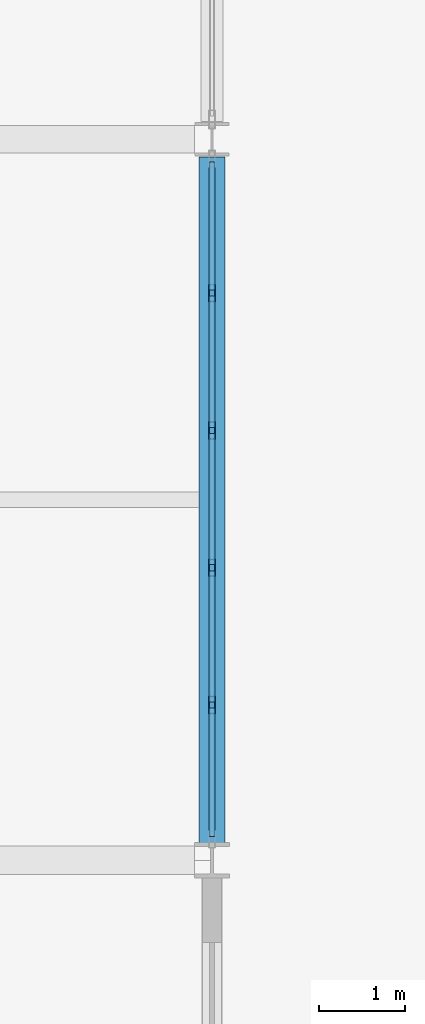
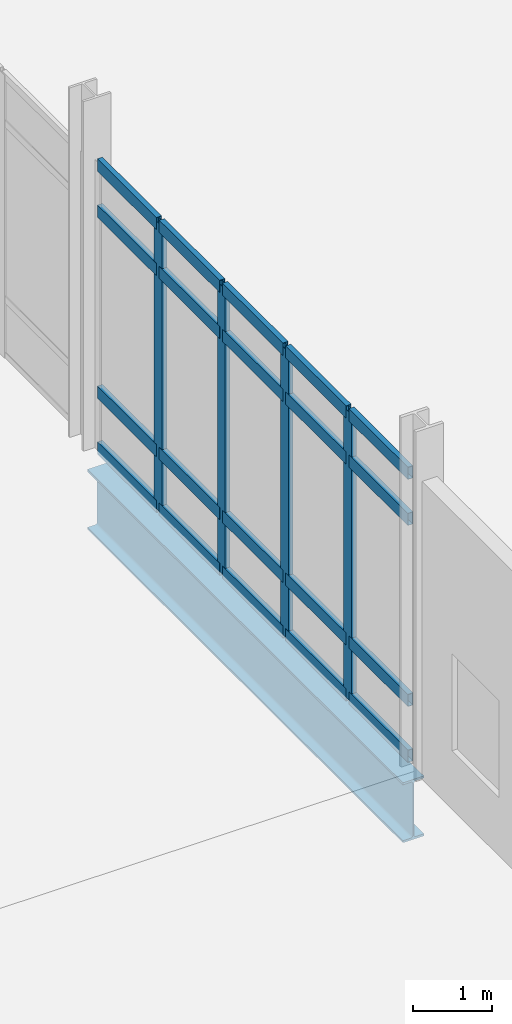
# One storey, part 44 of 229: 24 members, 1 beam, 1 element without a shape of its own.
"""IFC4 building model written with IfcOpenShell, lengths in metres."""

from ifc_helpers import new_model, si_unit, direction, frame, origin, origin_2d, place, context, subcontext, project, spatial, hollow_rectangle, i_section, extrude, material, layer, layer_set, material_profile, profile_set, type_object, element, aggregate, save


model = new_model("IFC4")

# Units and contexts
model_context = context("Model", 3, precision=1e-05, world=origin(), true_north=direction((0.0, 1.0)))
body_context = subcontext(model_context, "Body", "Model", "MODEL_VIEW")
ifc_project = project(units=[si_unit("LENGTHUNIT", "METRE"), si_unit("AREAUNIT", "SQUARE_METRE"), si_unit("VOLUMEUNIT", "CUBIC_METRE"), si_unit("PLANEANGLEUNIT", "RADIAN"), si_unit("MASSUNIT", "GRAM", prefix="KILO")], contexts=[model_context])

# Site, building, storey
site_placement = place(None, origin())
site = spatial("IfcSite", under=ifc_project, at=site_placement, CompositionType="ELEMENT")
building_placement = place(site_placement, origin())
building = spatial("IfcBuilding", under=site, at=building_placement, Name="Calvrana Isthmian Art Gallery", CompositionType="ELEMENT")
storey_placement = place(building_placement, origin())
storey = spatial("IfcBuildingStorey", under=building, at=storey_placement, Name="L00", CompositionType="ELEMENT", Elevation=0.0)

# Beam
ifc_material_1 = material(Name="Steel ASTM A992 Gr 50", Category="steel")
ifc_material_profile_1 = material_profile(ifc_material_1, i_section(OverallWidth=0.306884765625, OverallDepth=0.927001953125, WebThickness=0.019287109375, FlangeThickness=0.031982421875, FilletRadius=0.028076171875, at=origin_2d()), Name="W36X194")
ifc_profile_set_1 = profile_set([ifc_material_profile_1], Name="Steel ASTM A992 Gr 50")
beam_type = type_object("IfcBeamType", Name="BM-G-W36X194", PredefinedType="BEAM", material=ifc_profile_set_1)
beam_placement = place(storey_placement, frame((80.39990234375, 21.802978515625, -0.74853515625), z_axis=(0.0, 1.0, 0.0), x_axis=(-1.0, 0.0, 0.0)))
element("IfcBeam", 1, at=beam_placement, inside=storey, type_object=beam_type, Name="Girder Y L00 11/D-E", PredefinedType="BEAM", context=body_context, shape_type="SweptSolid", body=[
    extrude(i_section(OverallWidth=0.306884765625, OverallDepth=0.927001953125, WebThickness=0.019287109375, FlangeThickness=0.031982421875, FilletRadius=0.028076171875, at=origin_2d()), origin(), (0.0, 0.0, 1.0), 7.988525390625),
])

# Curtain wall, members
ifc_material_2 = material(Name="Anodized bronze aluminium 6063-T6", Category="aluminium")
ifc_layer = layer(ifc_material_2, 0.179931640625, Name="Anodized bronze aluminium 6063-T6")
ifc_layer_set = layer_set([ifc_layer], Name="Anodized bronze aluminium 6063-T6")
curtain_wall_type = type_object("IfcCurtainWallType", Name="CW-UNIT-080X44", PredefinedType="USERDEFINED", material=ifc_layer_set)
curtain_wall_placement = place(storey_placement, origin())
curtain_wall = element("IfcCurtainWall", 2, at=curtain_wall_placement, inside=storey, type_object=curtain_wall_type, Name="Curtain wall CW-069", ObjectType="UNITISED CURTAIN WALL", PredefinedType="USERDEFINED")
ifc_material_profile_2 = material_profile(ifc_material_2, hollow_rectangle(XDim=0.070068359375, YDim=0.199951171875, WallThickness=0.0048828125, at=origin_2d()), Name="CWM70X200")
ifc_profile_set_2 = profile_set([ifc_material_profile_2], Name="Anodized bronze aluminium 6063-T6")
member_type_1 = type_object("IfcMemberType", Name="CWM-CWM70X200", PredefinedType="MULLION", material=ifc_profile_set_2)
member_1_placement = place(storey_placement, frame((80.39990234375, 28.207275390625, 0.0), z_axis=(0.0, 0.0, 1.0), x_axis=(1.0, 0.0, 0.0)))
member_1 = element("IfcMember", 3, at=member_1_placement, type_object=member_type_1, Name="CW-069 mullion 2", PredefinedType="MULLION", context=body_context, shape_type="SweptSolid", body=[
    extrude(hollow_rectangle(XDim=0.070068359375, YDim=0.199951171875, WallThickness=0.0048828125, at=origin_2d()), origin(), (0.0, 0.0, 1.0), 4.447021484375),
])
member_2_placement = place(storey_placement, frame((80.39990234375, 26.607666015625, 0.0), z_axis=(0.0, 0.0, 1.0), x_axis=(1.0, 0.0, 0.0)))
member_2 = element("IfcMember", 4, at=member_2_placement, type_object=member_type_1, Name="CW-069 mullion 3", PredefinedType="MULLION", context=body_context, shape_type="SweptSolid", body=[
    extrude(hollow_rectangle(XDim=0.070068359375, YDim=0.199951171875, WallThickness=0.0048828125, at=origin_2d()), origin(), (0.0, 0.0, 1.0), 4.447021484375),
])
member_3_placement = place(storey_placement, frame((80.39990234375, 25.0078125, 0.0), z_axis=(0.0, 0.0, 1.0), x_axis=(1.0, 0.0, 0.0)))
member_3 = element("IfcMember", 5, at=member_3_placement, type_object=member_type_1, Name="CW-069 mullion 4", PredefinedType="MULLION", context=body_context, shape_type="SweptSolid", body=[
    extrude(hollow_rectangle(XDim=0.070068359375, YDim=0.199951171875, WallThickness=0.0048828125, at=origin_2d()), origin(), (0.0, 0.0, 1.0), 4.447021484375),
])
member_4_placement = place(storey_placement, frame((80.39990234375, 23.408203125, 0.0), z_axis=(0.0, 0.0, 1.0), x_axis=(1.0, 0.0, 0.0)))
member_4 = element("IfcMember", 6, at=member_4_placement, type_object=member_type_1, Name="CW-069 mullion 5", PredefinedType="MULLION", context=body_context, shape_type="SweptSolid", body=[
    extrude(hollow_rectangle(XDim=0.070068359375, YDim=0.199951171875, WallThickness=0.0048828125, at=origin_2d()), origin(), (0.0, 0.0, 1.0), 4.447021484375),
])
ifc_material_profile_3 = material_profile(ifc_material_2, hollow_rectangle(XDim=0.074951171875, YDim=0.18994140625, WallThickness=0.00439453125, at=origin_2d()), Name="CWT75X190")
ifc_profile_set_3 = profile_set([ifc_material_profile_3], Name="Anodized bronze aluminium 6063-T6")
member_type_2 = type_object("IfcMemberType", Name="CWT-CWT75X190", PredefinedType="USERDEFINED", material=ifc_profile_set_3)
member_5_placement = place(storey_placement, frame((80.39990234375, 29.737060546875, 0.03759765625), z_axis=(0.0, -1.0, 0.0), x_axis=(1.0, 0.0, 0.0)))
member_5 = element("IfcMember", 7, at=member_5_placement, type_object=member_type_2, Name="CW-069 transom 1.1", ObjectType="TRANSOM", PredefinedType="USERDEFINED", context=body_context, shape_type="SweptSolid", body=[
    extrude(hollow_rectangle(XDim=0.074951171875, YDim=0.18994140625, WallThickness=0.00439453125, at=origin_2d()), origin(), (0.0, 0.0, 1.0), 1.494873046875),
])
member_6_placement = place(storey_placement, frame((80.39990234375, 29.737060546875, 0.89990234375), z_axis=(0.0, -1.0, 0.0), x_axis=(1.0, 0.0, 0.0)))
member_6 = element("IfcMember", 8, at=member_6_placement, type_object=member_type_2, Name="CW-069 transom 1.2", ObjectType="TRANSOM", PredefinedType="USERDEFINED", context=body_context, shape_type="SweptSolid", body=[
    extrude(hollow_rectangle(XDim=0.074951171875, YDim=0.18994140625, WallThickness=0.00439453125, at=origin_2d()), origin(), (0.0, 0.0, 1.0), 1.494873046875),
])
member_7_placement = place(storey_placement, frame((80.39990234375, 29.737060546875, 3.697021484375), z_axis=(0.0, -1.0, 0.0), x_axis=(1.0, 0.0, 0.0)))
member_7 = element("IfcMember", 9, at=member_7_placement, type_object=member_type_2, Name="CW-069 transom 1.3", ObjectType="TRANSOM", PredefinedType="USERDEFINED", context=body_context, shape_type="SweptSolid", body=[
    extrude(hollow_rectangle(XDim=0.074951171875, YDim=0.18994140625, WallThickness=0.00439453125, at=origin_2d()), origin(), (0.0, 0.0, 1.0), 1.494873046875),
])
member_8_placement = place(storey_placement, frame((80.39990234375, 29.737060546875, 4.409423828125), z_axis=(0.0, -1.0, 0.0), x_axis=(1.0, 0.0, 0.0)))
member_8 = element("IfcMember", 10, at=member_8_placement, type_object=member_type_2, Name="CW-069 transom 1.4", ObjectType="TRANSOM", PredefinedType="USERDEFINED", context=body_context, shape_type="SweptSolid", body=[
    extrude(hollow_rectangle(XDim=0.074951171875, YDim=0.18994140625, WallThickness=0.00439453125, at=origin_2d()), origin(), (0.0, 0.0, 1.0), 1.494873046875),
])
member_9_placement = place(storey_placement, frame((80.39990234375, 28.17236328125, 0.03759765625), z_axis=(0.0, -1.0, 0.0), x_axis=(1.0, 0.0, 0.0)))
member_9 = element("IfcMember", 11, at=member_9_placement, type_object=member_type_2, Name="CW-069 transom 2.1", ObjectType="TRANSOM", PredefinedType="USERDEFINED", context=body_context, shape_type="SweptSolid", body=[
    extrude(hollow_rectangle(XDim=0.074951171875, YDim=0.18994140625, WallThickness=0.00439453125, at=origin_2d()), origin(), (0.0, 0.0, 1.0), 1.52978515625),
])
member_10_placement = place(storey_placement, frame((80.39990234375, 28.17236328125, 0.89990234375), z_axis=(0.0, -1.0, 0.0), x_axis=(1.0, 0.0, 0.0)))
member_10 = element("IfcMember", 12, at=member_10_placement, type_object=member_type_2, Name="CW-069 transom 2.2", ObjectType="TRANSOM", PredefinedType="USERDEFINED", context=body_context, shape_type="SweptSolid", body=[
    extrude(hollow_rectangle(XDim=0.074951171875, YDim=0.18994140625, WallThickness=0.00439453125, at=origin_2d()), origin(), (0.0, 0.0, 1.0), 1.52978515625),
])
member_11_placement = place(storey_placement, frame((80.39990234375, 28.17236328125, 3.697021484375), z_axis=(0.0, -1.0, 0.0), x_axis=(1.0, 0.0, 0.0)))
member_11 = element("IfcMember", 13, at=member_11_placement, type_object=member_type_2, Name="CW-069 transom 2.3", ObjectType="TRANSOM", PredefinedType="USERDEFINED", context=body_context, shape_type="SweptSolid", body=[
    extrude(hollow_rectangle(XDim=0.074951171875, YDim=0.18994140625, WallThickness=0.00439453125, at=origin_2d()), origin(), (0.0, 0.0, 1.0), 1.52978515625),
])
member_12_placement = place(storey_placement, frame((80.39990234375, 28.17236328125, 4.409423828125), z_axis=(0.0, -1.0, 0.0), x_axis=(1.0, 0.0, 0.0)))
member_12 = element("IfcMember", 14, at=member_12_placement, type_object=member_type_2, Name="CW-069 transom 2.4", ObjectType="TRANSOM", PredefinedType="USERDEFINED", context=body_context, shape_type="SweptSolid", body=[
    extrude(hollow_rectangle(XDim=0.074951171875, YDim=0.18994140625, WallThickness=0.00439453125, at=origin_2d()), origin(), (0.0, 0.0, 1.0), 1.52978515625),
])
member_13_placement = place(storey_placement, frame((80.39990234375, 26.572509765625, 0.03759765625), z_axis=(0.0, -1.0, 0.0), x_axis=(1.0, 0.0, 0.0)))
member_13 = element("IfcMember", 15, at=member_13_placement, type_object=member_type_2, Name="CW-069 transom 3.1", ObjectType="TRANSOM", PredefinedType="USERDEFINED", context=body_context, shape_type="SweptSolid", body=[
    extrude(hollow_rectangle(XDim=0.074951171875, YDim=0.18994140625, WallThickness=0.00439453125, at=origin_2d()), origin(), (0.0, 0.0, 1.0), 1.529541015625),
])
member_14_placement = place(storey_placement, frame((80.39990234375, 26.572509765625, 0.89990234375), z_axis=(0.0, -1.0, 0.0), x_axis=(1.0, 0.0, 0.0)))
member_14 = element("IfcMember", 16, at=member_14_placement, type_object=member_type_2, Name="CW-069 transom 3.2", ObjectType="TRANSOM", PredefinedType="USERDEFINED", context=body_context, shape_type="SweptSolid", body=[
    extrude(hollow_rectangle(XDim=0.074951171875, YDim=0.18994140625, WallThickness=0.00439453125, at=origin_2d()), origin(), (0.0, 0.0, 1.0), 1.529541015625),
])
member_15_placement = place(storey_placement, frame((80.39990234375, 26.572509765625, 3.697021484375), z_axis=(0.0, -1.0, 0.0), x_axis=(1.0, 0.0, 0.0)))
member_15 = element("IfcMember", 17, at=member_15_placement, type_object=member_type_2, Name="CW-069 transom 3.3", ObjectType="TRANSOM", PredefinedType="USERDEFINED", context=body_context, shape_type="SweptSolid", body=[
    extrude(hollow_rectangle(XDim=0.074951171875, YDim=0.18994140625, WallThickness=0.00439453125, at=origin_2d()), origin(), (0.0, 0.0, 1.0), 1.529541015625),
])
member_16_placement = place(storey_placement, frame((80.39990234375, 26.572509765625, 4.409423828125), z_axis=(0.0, -1.0, 0.0), x_axis=(1.0, 0.0, 0.0)))
member_16 = element("IfcMember", 18, at=member_16_placement, type_object=member_type_2, Name="CW-069 transom 3.4", ObjectType="TRANSOM", PredefinedType="USERDEFINED", context=body_context, shape_type="SweptSolid", body=[
    extrude(hollow_rectangle(XDim=0.074951171875, YDim=0.18994140625, WallThickness=0.00439453125, at=origin_2d()), origin(), (0.0, 0.0, 1.0), 1.529541015625),
])
member_17_placement = place(storey_placement, frame((80.39990234375, 24.972900390625, 0.03759765625), z_axis=(0.0, -1.0, 0.0), x_axis=(1.0, 0.0, 0.0)))
member_17 = element("IfcMember", 19, at=member_17_placement, type_object=member_type_2, Name="CW-069 transom 4.1", ObjectType="TRANSOM", PredefinedType="USERDEFINED", context=body_context, shape_type="SweptSolid", body=[
    extrude(hollow_rectangle(XDim=0.074951171875, YDim=0.18994140625, WallThickness=0.00439453125, at=origin_2d()), origin(), (0.0, 0.0, 1.0), 1.52978515625),
])
member_18_placement = place(storey_placement, frame((80.39990234375, 24.972900390625, 0.89990234375), z_axis=(0.0, -1.0, 0.0), x_axis=(1.0, 0.0, 0.0)))
member_18 = element("IfcMember", 20, at=member_18_placement, type_object=member_type_2, Name="CW-069 transom 4.2", ObjectType="TRANSOM", PredefinedType="USERDEFINED", context=body_context, shape_type="SweptSolid", body=[
    extrude(hollow_rectangle(XDim=0.074951171875, YDim=0.18994140625, WallThickness=0.00439453125, at=origin_2d()), origin(), (0.0, 0.0, 1.0), 1.52978515625),
])
member_19_placement = place(storey_placement, frame((80.39990234375, 24.972900390625, 3.697021484375), z_axis=(0.0, -1.0, 0.0), x_axis=(1.0, 0.0, 0.0)))
member_19 = element("IfcMember", 21, at=member_19_placement, type_object=member_type_2, Name="CW-069 transom 4.3", ObjectType="TRANSOM", PredefinedType="USERDEFINED", context=body_context, shape_type="SweptSolid", body=[
    extrude(hollow_rectangle(XDim=0.074951171875, YDim=0.18994140625, WallThickness=0.00439453125, at=origin_2d()), origin(), (0.0, 0.0, 1.0), 1.52978515625),
])
member_20_placement = place(storey_placement, frame((80.39990234375, 24.972900390625, 4.409423828125), z_axis=(0.0, -1.0, 0.0), x_axis=(1.0, 0.0, 0.0)))
member_20 = element("IfcMember", 22, at=member_20_placement, type_object=member_type_2, Name="CW-069 transom 4.4", ObjectType="TRANSOM", PredefinedType="USERDEFINED", context=body_context, shape_type="SweptSolid", body=[
    extrude(hollow_rectangle(XDim=0.074951171875, YDim=0.18994140625, WallThickness=0.00439453125, at=origin_2d()), origin(), (0.0, 0.0, 1.0), 1.52978515625),
])
member_21_placement = place(storey_placement, frame((80.39990234375, 23.373291015625, 0.03759765625), z_axis=(0.0, -1.0, 0.0), x_axis=(1.0, 0.0, 0.0)))
member_21 = element("IfcMember", 23, at=member_21_placement, type_object=member_type_2, Name="CW-069 transom 5.1", ObjectType="TRANSOM", PredefinedType="USERDEFINED", context=body_context, shape_type="SweptSolid", body=[
    extrude(hollow_rectangle(XDim=0.074951171875, YDim=0.18994140625, WallThickness=0.00439453125, at=origin_2d()), origin(), (0.0, 0.0, 1.0), 1.494873046875),
])
member_22_placement = place(storey_placement, frame((80.39990234375, 23.373291015625, 0.89990234375), z_axis=(0.0, -1.0, 0.0), x_axis=(1.0, 0.0, 0.0)))
member_22 = element("IfcMember", 24, at=member_22_placement, type_object=member_type_2, Name="CW-069 transom 5.2", ObjectType="TRANSOM", PredefinedType="USERDEFINED", context=body_context, shape_type="SweptSolid", body=[
    extrude(hollow_rectangle(XDim=0.074951171875, YDim=0.18994140625, WallThickness=0.00439453125, at=origin_2d()), origin(), (0.0, 0.0, 1.0), 1.494873046875),
])
member_23_placement = place(storey_placement, frame((80.39990234375, 23.373291015625, 3.697021484375), z_axis=(0.0, -1.0, 0.0), x_axis=(1.0, 0.0, 0.0)))
member_23 = element("IfcMember", 25, at=member_23_placement, type_object=member_type_2, Name="CW-069 transom 5.3", ObjectType="TRANSOM", PredefinedType="USERDEFINED", context=body_context, shape_type="SweptSolid", body=[
    extrude(hollow_rectangle(XDim=0.074951171875, YDim=0.18994140625, WallThickness=0.00439453125, at=origin_2d()), origin(), (0.0, 0.0, 1.0), 1.494873046875),
])
member_24_placement = place(storey_placement, frame((80.39990234375, 23.373291015625, 4.409423828125), z_axis=(0.0, -1.0, 0.0), x_axis=(1.0, 0.0, 0.0)))
member_24 = element("IfcMember", 26, at=member_24_placement, type_object=member_type_2, Name="CW-069 transom 5.4", ObjectType="TRANSOM", PredefinedType="USERDEFINED", context=body_context, shape_type="SweptSolid", body=[
    extrude(hollow_rectangle(XDim=0.074951171875, YDim=0.18994140625, WallThickness=0.00439453125, at=origin_2d()), origin(), (0.0, 0.0, 1.0), 1.494873046875),
])
aggregate(curtain_wall, [member_1, member_2, member_3, member_4, member_5, member_6, member_7, member_8, member_9, member_10, member_11, member_12, member_13, member_14, member_15, member_16, member_17, member_18, member_19, member_20, member_21, member_22, member_23, member_24])

save(model, "model.ifc")
